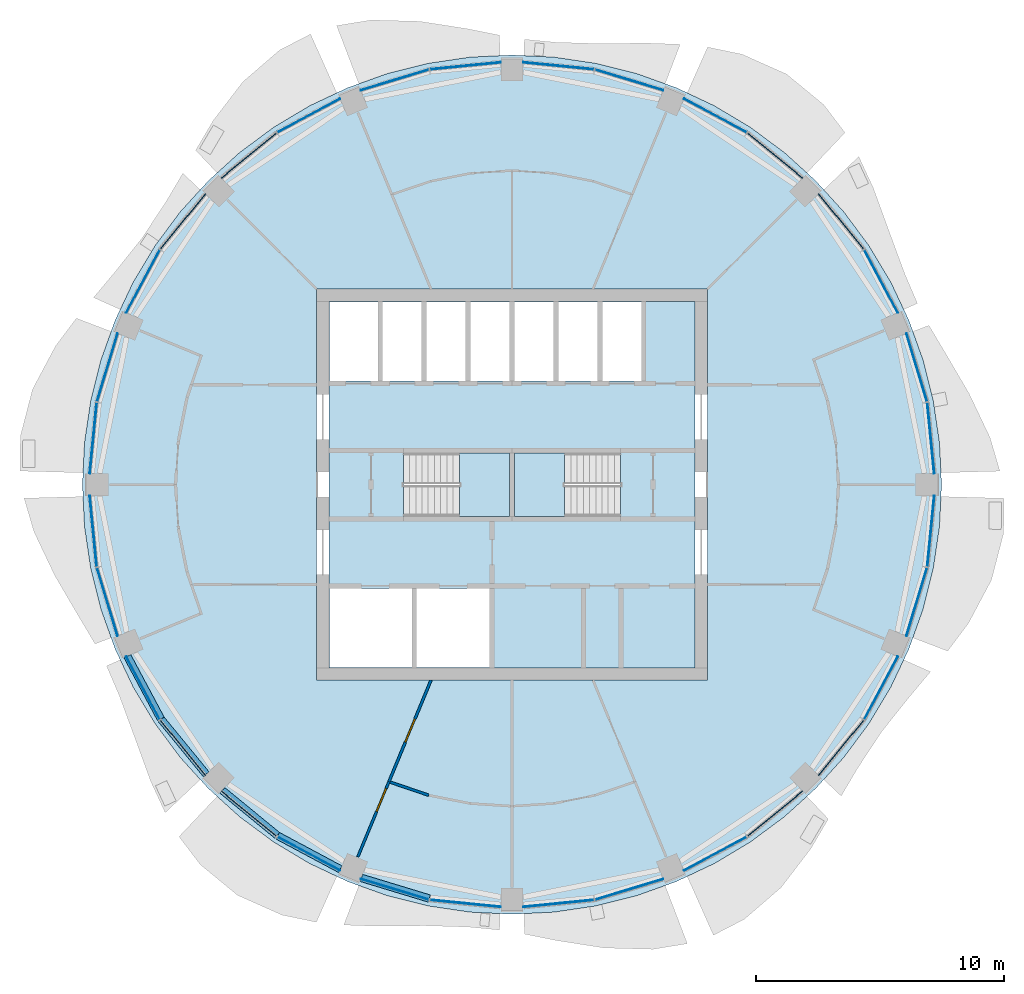
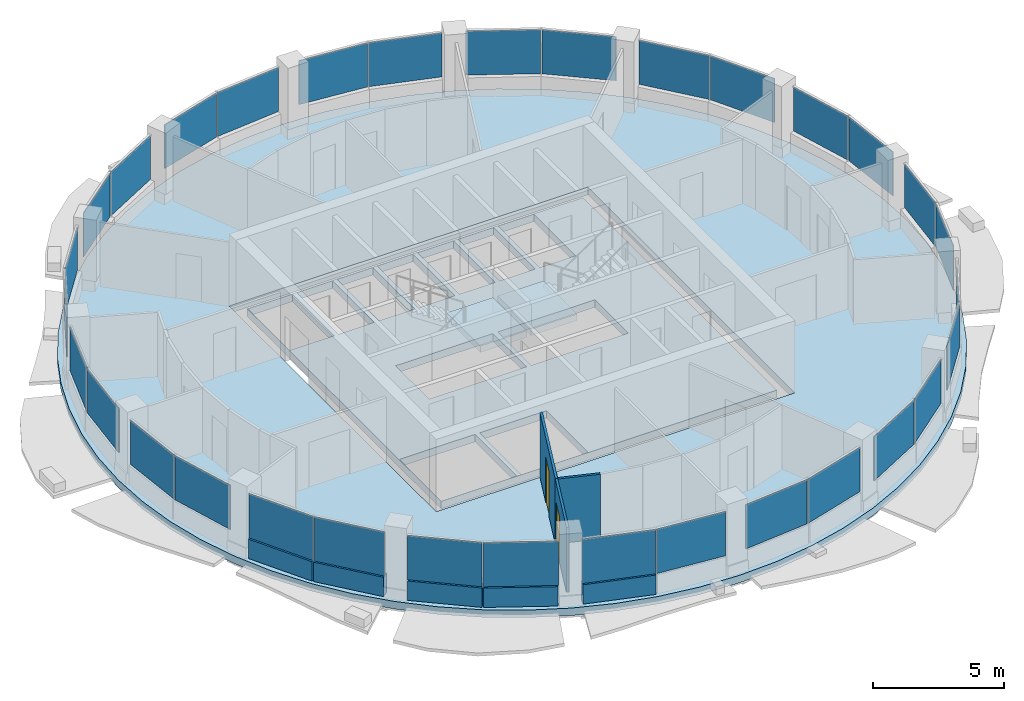
# One storey, part 7 of 15: 32 plates, 8 walls, 4 slabs, 2 doors, 2 openings, 18 elements without a shape of their own.
"""IFC4 building model written with IfcOpenShell, lengths in metres."""

from ifc_helpers import new_model, si_unit, direction, frame, frame_2d, origin, origin_2d, place, context, subcontext, project, spatial, polyline, rectangle, outline, extrude, material, layer, layer_set, type_object, element, fill, aggregate, save


model = new_model("IFC4")

# Units and contexts
model_context = context("Model", 3, precision=1e-05, world=origin(), true_north=direction((0.0, 1.0)))
body_context = subcontext(model_context, "Body", "Model", "MODEL_VIEW")
ifc_project = project(units=[si_unit("LENGTHUNIT", "METRE"), si_unit("AREAUNIT", "SQUARE_METRE"), si_unit("VOLUMEUNIT", "CUBIC_METRE"), si_unit("PLANEANGLEUNIT", "RADIAN"), si_unit("MASSUNIT", "GRAM", prefix="KILO")], contexts=[model_context])

# Site, building, storey
site_placement = place(None, origin())
site = spatial("IfcSite", under=ifc_project, at=site_placement, CompositionType="ELEMENT")
building_placement = place(site_placement, origin())
building = spatial("IfcBuilding", under=site, at=building_placement, Name="Polderwave Tower", CompositionType="ELEMENT")
storey_placement = place(building_placement, frame((0.0, 0.0, 197.699951171875)))
storey = spatial("IfcBuildingStorey", under=building, at=storey_placement, Name="L53", CompositionType="ELEMENT", Elevation=197.699951171875)

# Slab
ifc_material_1 = material(Name="Concrete C40/50", Category="concrete")
ifc_layer_1 = layer(ifc_material_1, 0.35009765625)
ifc_layer_set_1 = layer_set([ifc_layer_1], Name="Core floor slab 350")
slab_type_1 = type_object("IfcSlabType", Name="Core floor slab 350", PredefinedType="FLOOR", material=ifc_layer_set_1)
slab_1_placement = place(storey_placement, frame((0.0, 0.0, -0.349853515625)))
element("IfcSlab", 1, at=slab_1_placement, inside=storey, type_object=slab_type_1, Name="L53 core floor", PredefinedType="FLOOR", context=body_context, shape_type="SweptSolid", body=[
    extrude(outline(polyline([(-7.3740234375, -7.3740234375), (7.3740234375, -7.3740234375), (7.3740234375, 7.3740234375), (-7.3740234375, 7.3740234375), (-7.3740234375, -7.3740234375)]), holes=[polyline([(-7.35400390625, -7.35400390625), (-4.037109375, -7.35400390625), (-4.037109375, -4.174072265625), (-7.35400390625, -4.174072265625), (-7.35400390625, -7.35400390625)]), polyline([(-3.8369140625, -7.35400390625), (-0.89990234375, -7.35400390625), (-0.89990234375, -4.174072265625), (-3.8369140625, -4.174072265625), (-3.8369140625, -7.35400390625)]), polyline([(-7.35400390625, 4.174072265625), (-5.405517578125, 4.174072265625), (-5.405517578125, 7.35400390625), (-7.35400390625, 7.35400390625), (-7.35400390625, 4.174072265625)]), polyline([(-5.20556640625, 4.174072265625), (-3.636962890625, 4.174072265625), (-3.636962890625, 7.35400390625), (-5.20556640625, 7.35400390625), (-5.20556640625, 4.174072265625)]), polyline([(-3.43701171875, 4.174072265625), (-1.868408203125, 4.174072265625), (-1.868408203125, 7.35400390625), (-3.43701171875, 7.35400390625), (-3.43701171875, 4.174072265625)]), polyline([(-1.66845703125, 4.174072265625), (-0.10009765625, 4.174072265625), (-0.10009765625, 7.35400390625), (-1.66845703125, 7.35400390625), (-1.66845703125, 4.174072265625)]), polyline([(0.10009765625, 4.174072265625), (1.66845703125, 4.174072265625), (1.66845703125, 7.35400390625), (0.10009765625, 7.35400390625), (0.10009765625, 4.174072265625)]), polyline([(1.868408203125, 4.174072265625), (3.43701171875, 4.174072265625), (3.43701171875, 7.35400390625), (1.868408203125, 7.35400390625), (1.868408203125, 4.174072265625)]), polyline([(3.636962890625, 4.174072265625), (5.20556640625, 4.174072265625), (5.20556640625, 7.35400390625), (3.636962890625, 7.35400390625), (3.636962890625, 4.174072265625)]), polyline([(-4.37353515625, -1.2744140625), (-0.1005859375, -1.2744140625), (-0.1005859375, 1.2744140625), (-4.37353515625, 1.2744140625), (-4.37353515625, -1.2744140625)]), polyline([(0.1005859375, -1.2744140625), (4.37353515625, -1.2744140625), (4.37353515625, 1.2744140625), (0.1005859375, 1.2744140625), (0.1005859375, -1.2744140625)])]), origin(), (0.0, 0.0, 1.0), 0.349853515625),
])

# Curtain wall, plates
ifc_material_2 = material(Name="Aluminium 6063-T6 and glass", Category="aluminium")
curtain_wall_type = type_object("IfcCurtainWallType", Name="Office ribbon glazing wall", PredefinedType="NOTDEFINED", material=ifc_material_2)
curtain_wall_1_placement = place(storey_placement, origin())
curtain_wall_1 = element("IfcCurtainWall", 2, at=curtain_wall_1_placement, inside=storey, type_object=curtain_wall_type, Name="CW3 L53 00", PredefinedType="NOTDEFINED")
ifc_material_3 = material(Name="Glass, low-e laminated double glazing", Category="glass")
ifc_layer_2 = layer(ifc_material_3, 0.031982421875)
ifc_layer_set_2 = layer_set([ifc_layer_2], Name="Office ribbon glazing glass panel 32 mm")
plate_type = type_object("IfcPlateType", Name="Office ribbon glazing glass panel 32 mm", PredefinedType="CURTAIN_PANEL", material=ifc_layer_set_2)
plate_1_placement = place(storey_placement, frame((16.865478515625, 1.874267578125, 0.900146484375), z_axis=(0.0, 0.0, 1.0), x_axis=(-0.098270728197, 0.995159717824, 0.0)))
plate_1 = element("IfcPlate", 3, at=plate_1_placement, type_object=plate_type, Name="CW3 panel 1", PredefinedType="CURTAIN_PANEL", context=body_context, shape_type="SweptSolid", body=[
    extrude(rectangle(XDim=2.862548828125, YDim=0.031982421875, at=origin_2d()), origin(), (0.0, 0.0, 1.0), 2.0400390625),
])
plate_2_placement = place(storey_placement, frame((16.298583984375, 4.72216796875, 0.900146484375), z_axis=(0.0, 0.0, 1.0), x_axis=(-0.290266305265, 0.956945908622, 0.0)))
plate_2 = element("IfcPlate", 4, at=plate_2_placement, type_object=plate_type, Name="CW3 panel 2", PredefinedType="CURTAIN_PANEL", context=body_context, shape_type="SweptSolid", body=[
    extrude(rectangle(XDim=2.86279296875, YDim=0.031982421875, at=origin_2d()), origin(), (0.0, 0.0, 1.0), 2.0400390625),
])
aggregate(curtain_wall_1, [plate_1, plate_2])

curtain_wall_2_placement = place(storey_placement, origin())
curtain_wall_2 = element("IfcCurtainWall", 5, at=curtain_wall_2_placement, inside=storey, type_object=curtain_wall_type, Name="CW3 L53 01", PredefinedType="NOTDEFINED")
plate_3_placement = place(storey_placement, frame((14.864501953125, 8.185791015625, 0.900146484375), z_axis=(0.0, 0.0, 1.0), x_axis=(-0.471413668412, 0.881912214018, 0.0)))
plate_3 = element("IfcPlate", 6, at=plate_3_placement, type_object=plate_type, Name="CW3 panel 1", PredefinedType="CURTAIN_PANEL", context=body_context, shape_type="SweptSolid", body=[
    extrude(rectangle(XDim=2.86181640625, YDim=0.031982421875, at=origin_2d()), origin(), (0.0, 0.0, 1.0), 2.0400390625),
])
plate_4_placement = place(storey_placement, frame((13.251220703125, 10.60009765625, 0.900146484375), z_axis=(0.0, 0.0, 1.0), x_axis=(-0.634348760905, 0.773046990511, 0.0)))
plate_4 = element("IfcPlate", 7, at=plate_4_placement, type_object=plate_type, Name="CW3 panel 2", PredefinedType="CURTAIN_PANEL", context=body_context, shape_type="SweptSolid", body=[
    extrude(rectangle(XDim=2.86376953125, YDim=0.031982421875, at=origin_2d()), origin(), (0.0, 0.0, 1.0), 2.0400390625),
])
aggregate(curtain_wall_2, [plate_3, plate_4])

curtain_wall_3_placement = place(storey_placement, origin())
curtain_wall_3 = element("IfcCurtainWall", 8, at=curtain_wall_3_placement, inside=storey, type_object=curtain_wall_type, Name="CW3 L53 02", PredefinedType="NOTDEFINED")
plate_5_placement = place(storey_placement, frame((10.60009765625, 13.251220703125, 0.900146484375), z_axis=(0.0, 0.0, 1.0), x_axis=(-0.773046990511, 0.634348760905, 0.0)))
plate_5 = element("IfcPlate", 9, at=plate_5_placement, type_object=plate_type, Name="CW3 panel 1", PredefinedType="CURTAIN_PANEL", context=body_context, shape_type="SweptSolid", body=[
    extrude(rectangle(XDim=2.86376953125, YDim=0.031982421875, at=origin_2d()), origin(), (0.0, 0.0, 1.0), 2.0400390625),
])
plate_6_placement = place(storey_placement, frame((8.185791015625, 14.864501953125, 0.900146484375), z_axis=(0.0, 0.0, 1.0), x_axis=(-0.881912214018, 0.471413668412, 0.0)))
plate_6 = element("IfcPlate", 10, at=plate_6_placement, type_object=plate_type, Name="CW3 panel 2", PredefinedType="CURTAIN_PANEL", context=body_context, shape_type="SweptSolid", body=[
    extrude(rectangle(XDim=2.86181640625, YDim=0.031982421875, at=origin_2d()), origin(), (0.0, 0.0, 1.0), 2.0400390625),
])
aggregate(curtain_wall_3, [plate_5, plate_6])

curtain_wall_4_placement = place(storey_placement, origin())
curtain_wall_4 = element("IfcCurtainWall", 11, at=curtain_wall_4_placement, inside=storey, type_object=curtain_wall_type, Name="CW3 L53 03", PredefinedType="NOTDEFINED")
plate_7_placement = place(storey_placement, frame((4.72216796875, 16.298583984375, 0.900146484375), z_axis=(0.0, 0.0, 1.0), x_axis=(-0.956945908622, 0.290266305265, 0.0)))
plate_7 = element("IfcPlate", 12, at=plate_7_placement, type_object=plate_type, Name="CW3 panel 1", PredefinedType="CURTAIN_PANEL", context=body_context, shape_type="SweptSolid", body=[
    extrude(rectangle(XDim=2.86279296875, YDim=0.031982421875, at=origin_2d()), origin(), (0.0, 0.0, 1.0), 2.0400390625),
])
plate_8_placement = place(storey_placement, frame((1.874267578125, 16.865478515625, 0.900146484375), z_axis=(0.0, 0.0, 1.0), x_axis=(-0.995159717824, 0.098270728197, 0.0)))
plate_8 = element("IfcPlate", 13, at=plate_8_placement, type_object=plate_type, Name="CW3 panel 2", PredefinedType="CURTAIN_PANEL", context=body_context, shape_type="SweptSolid", body=[
    extrude(rectangle(XDim=2.862548828125, YDim=0.031982421875, at=origin_2d()), origin(), (0.0, 0.0, 1.0), 2.0400390625),
])
aggregate(curtain_wall_4, [plate_7, plate_8])

curtain_wall_5_placement = place(storey_placement, origin())
curtain_wall_5 = element("IfcCurtainWall", 14, at=curtain_wall_5_placement, inside=storey, type_object=curtain_wall_type, Name="CW3 L53 04", PredefinedType="NOTDEFINED")
plate_9_placement = place(storey_placement, frame((-1.874267578125, 16.865478515625, 0.900146484375), z_axis=(0.0, 0.0, 1.0), x_axis=(-0.995159717824, -0.098270728197, 0.0)))
plate_9 = element("IfcPlate", 15, at=plate_9_placement, type_object=plate_type, Name="CW3 panel 1", PredefinedType="CURTAIN_PANEL", context=body_context, shape_type="SweptSolid", body=[
    extrude(rectangle(XDim=2.862548828125, YDim=0.031982421875, at=origin_2d()), origin(), (0.0, 0.0, 1.0), 2.0400390625),
])
plate_10_placement = place(storey_placement, frame((-4.72216796875, 16.298583984375, 0.900146484375), z_axis=(0.0, 0.0, 1.0), x_axis=(-0.956945908622, -0.290266305265, 0.0)))
plate_10 = element("IfcPlate", 16, at=plate_10_placement, type_object=plate_type, Name="CW3 panel 2", PredefinedType="CURTAIN_PANEL", context=body_context, shape_type="SweptSolid", body=[
    extrude(rectangle(XDim=2.86279296875, YDim=0.031982421875, at=origin_2d()), origin(), (0.0, 0.0, 1.0), 2.0400390625),
])
aggregate(curtain_wall_5, [plate_9, plate_10])

curtain_wall_6_placement = place(storey_placement, origin())
curtain_wall_6 = element("IfcCurtainWall", 17, at=curtain_wall_6_placement, inside=storey, type_object=curtain_wall_type, Name="CW3 L53 05", PredefinedType="NOTDEFINED")
plate_11_placement = place(storey_placement, frame((-8.185791015625, 14.864501953125, 0.900146484375), z_axis=(0.0, 0.0, 1.0), x_axis=(-0.881912214018, -0.471413668412, 0.0)))
plate_11 = element("IfcPlate", 18, at=plate_11_placement, type_object=plate_type, Name="CW3 panel 1", PredefinedType="CURTAIN_PANEL", context=body_context, shape_type="SweptSolid", body=[
    extrude(rectangle(XDim=2.86181640625, YDim=0.031982421875, at=origin_2d()), origin(), (0.0, 0.0, 1.0), 2.0400390625),
])
plate_12_placement = place(storey_placement, frame((-10.60009765625, 13.251220703125, 0.900146484375), z_axis=(0.0, 0.0, 1.0), x_axis=(-0.773046990511, -0.634348760905, 0.0)))
plate_12 = element("IfcPlate", 19, at=plate_12_placement, type_object=plate_type, Name="CW3 panel 2", PredefinedType="CURTAIN_PANEL", context=body_context, shape_type="SweptSolid", body=[
    extrude(rectangle(XDim=2.86376953125, YDim=0.031982421875, at=origin_2d()), origin(), (0.0, 0.0, 1.0), 2.0400390625),
])
aggregate(curtain_wall_6, [plate_11, plate_12])

curtain_wall_7_placement = place(storey_placement, origin())
curtain_wall_7 = element("IfcCurtainWall", 20, at=curtain_wall_7_placement, inside=storey, type_object=curtain_wall_type, Name="CW3 L53 06", PredefinedType="NOTDEFINED")
plate_13_placement = place(storey_placement, frame((-13.251220703125, 10.60009765625, 0.900146484375), z_axis=(0.0, 0.0, 1.0), x_axis=(-0.634348760905, -0.773046990511, 0.0)))
plate_13 = element("IfcPlate", 21, at=plate_13_placement, type_object=plate_type, Name="CW3 panel 1", PredefinedType="CURTAIN_PANEL", context=body_context, shape_type="SweptSolid", body=[
    extrude(rectangle(XDim=2.86376953125, YDim=0.031982421875, at=origin_2d()), origin(), (0.0, 0.0, 1.0), 2.0400390625),
])
plate_14_placement = place(storey_placement, frame((-14.864501953125, 8.185791015625, 0.900146484375), z_axis=(0.0, 0.0, 1.0), x_axis=(-0.471413668412, -0.881912214018, 0.0)))
plate_14 = element("IfcPlate", 22, at=plate_14_placement, type_object=plate_type, Name="CW3 panel 2", PredefinedType="CURTAIN_PANEL", context=body_context, shape_type="SweptSolid", body=[
    extrude(rectangle(XDim=2.86181640625, YDim=0.031982421875, at=origin_2d()), origin(), (0.0, 0.0, 1.0), 2.0400390625),
])
aggregate(curtain_wall_7, [plate_13, plate_14])

curtain_wall_8_placement = place(storey_placement, origin())
curtain_wall_8 = element("IfcCurtainWall", 23, at=curtain_wall_8_placement, inside=storey, type_object=curtain_wall_type, Name="CW3 L53 07", PredefinedType="NOTDEFINED")
plate_15_placement = place(storey_placement, frame((-16.298583984375, 4.72216796875, 0.900146484375), z_axis=(0.0, 0.0, 1.0), x_axis=(-0.290266305265, -0.956945908622, 0.0)))
plate_15 = element("IfcPlate", 24, at=plate_15_placement, type_object=plate_type, Name="CW3 panel 1", PredefinedType="CURTAIN_PANEL", context=body_context, shape_type="SweptSolid", body=[
    extrude(rectangle(XDim=2.86279296875, YDim=0.031982421875, at=origin_2d()), origin(), (0.0, 0.0, 1.0), 2.0400390625),
])
plate_16_placement = place(storey_placement, frame((-16.865478515625, 1.874267578125, 0.900146484375), z_axis=(0.0, 0.0, 1.0), x_axis=(-0.098270728197, -0.995159717824, 0.0)))
plate_16 = element("IfcPlate", 25, at=plate_16_placement, type_object=plate_type, Name="CW3 panel 2", PredefinedType="CURTAIN_PANEL", context=body_context, shape_type="SweptSolid", body=[
    extrude(rectangle(XDim=2.862548828125, YDim=0.031982421875, at=origin_2d()), origin(), (0.0, 0.0, 1.0), 2.0400390625),
])
aggregate(curtain_wall_8, [plate_15, plate_16])

curtain_wall_9_placement = place(storey_placement, origin())
curtain_wall_9 = element("IfcCurtainWall", 26, at=curtain_wall_9_placement, inside=storey, type_object=curtain_wall_type, Name="CW3 L53 08", PredefinedType="NOTDEFINED")
plate_17_placement = place(storey_placement, frame((-16.865478515625, -1.874267578125, 0.900146484375), z_axis=(0.0, 0.0, 1.0), x_axis=(0.098270728197, -0.995159717824, 0.0)))
plate_17 = element("IfcPlate", 27, at=plate_17_placement, type_object=plate_type, Name="CW3 panel 1", PredefinedType="CURTAIN_PANEL", context=body_context, shape_type="SweptSolid", body=[
    extrude(rectangle(XDim=2.862548828125, YDim=0.031982421875, at=origin_2d()), origin(), (0.0, 0.0, 1.0), 2.0400390625),
])
plate_18_placement = place(storey_placement, frame((-16.298583984375, -4.72216796875, 0.900146484375), z_axis=(0.0, 0.0, 1.0), x_axis=(0.290266305265, -0.956945908622, 0.0)))
plate_18 = element("IfcPlate", 28, at=plate_18_placement, type_object=plate_type, Name="CW3 panel 2", PredefinedType="CURTAIN_PANEL", context=body_context, shape_type="SweptSolid", body=[
    extrude(rectangle(XDim=2.86279296875, YDim=0.031982421875, at=origin_2d()), origin(), (0.0, 0.0, 1.0), 2.0400390625),
])
aggregate(curtain_wall_9, [plate_17, plate_18])

curtain_wall_10_placement = place(storey_placement, origin())
curtain_wall_10 = element("IfcCurtainWall", 29, at=curtain_wall_10_placement, inside=storey, type_object=curtain_wall_type, Name="CW3 L53 09", PredefinedType="NOTDEFINED")
plate_19_placement = place(storey_placement, frame((-14.864501953125, -8.185791015625, 0.900146484375), z_axis=(0.0, 0.0, 1.0), x_axis=(0.471413668412, -0.881912214018, 0.0)))
plate_19 = element("IfcPlate", 30, at=plate_19_placement, type_object=plate_type, Name="CW3 panel 1", PredefinedType="CURTAIN_PANEL", context=body_context, shape_type="SweptSolid", body=[
    extrude(rectangle(XDim=2.86181640625, YDim=0.031982421875, at=origin_2d()), origin(), (0.0, 0.0, 1.0), 2.0400390625),
])
plate_20_placement = place(storey_placement, frame((-13.251220703125, -10.60009765625, 0.900146484375), z_axis=(0.0, 0.0, 1.0), x_axis=(0.634348760905, -0.773046990511, 0.0)))
plate_20 = element("IfcPlate", 31, at=plate_20_placement, type_object=plate_type, Name="CW3 panel 2", PredefinedType="CURTAIN_PANEL", context=body_context, shape_type="SweptSolid", body=[
    extrude(rectangle(XDim=2.86376953125, YDim=0.031982421875, at=origin_2d()), origin(), (0.0, 0.0, 1.0), 2.0400390625),
])
aggregate(curtain_wall_10, [plate_19, plate_20])

curtain_wall_11_placement = place(storey_placement, origin())
curtain_wall_11 = element("IfcCurtainWall", 32, at=curtain_wall_11_placement, inside=storey, type_object=curtain_wall_type, Name="CW3 L53 10", PredefinedType="NOTDEFINED")
plate_21_placement = place(storey_placement, frame((-10.60009765625, -13.251220703125, 0.900146484375), z_axis=(0.0, 0.0, 1.0), x_axis=(0.773046990511, -0.634348760905, 0.0)))
plate_21 = element("IfcPlate", 33, at=plate_21_placement, type_object=plate_type, Name="CW3 panel 1", PredefinedType="CURTAIN_PANEL", context=body_context, shape_type="SweptSolid", body=[
    extrude(rectangle(XDim=2.86376953125, YDim=0.031982421875, at=origin_2d()), origin(), (0.0, 0.0, 1.0), 2.0400390625),
])
plate_22_placement = place(storey_placement, frame((-8.185791015625, -14.864501953125, 0.900146484375), z_axis=(0.0, 0.0, 1.0), x_axis=(0.881912214018, -0.471413668412, 0.0)))
plate_22 = element("IfcPlate", 34, at=plate_22_placement, type_object=plate_type, Name="CW3 panel 2", PredefinedType="CURTAIN_PANEL", context=body_context, shape_type="SweptSolid", body=[
    extrude(rectangle(XDim=2.86181640625, YDim=0.031982421875, at=origin_2d()), origin(), (0.0, 0.0, 1.0), 2.0400390625),
])
aggregate(curtain_wall_11, [plate_21, plate_22])

curtain_wall_12_placement = place(storey_placement, origin())
curtain_wall_12 = element("IfcCurtainWall", 35, at=curtain_wall_12_placement, inside=storey, type_object=curtain_wall_type, Name="CW3 L53 11", PredefinedType="NOTDEFINED")
plate_23_placement = place(storey_placement, frame((-4.72216796875, -16.298583984375, 0.900146484375), z_axis=(0.0, 0.0, 1.0), x_axis=(0.956945908622, -0.290266305265, 0.0)))
plate_23 = element("IfcPlate", 36, at=plate_23_placement, type_object=plate_type, Name="CW3 panel 1", PredefinedType="CURTAIN_PANEL", context=body_context, shape_type="SweptSolid", body=[
    extrude(rectangle(XDim=2.86279296875, YDim=0.031982421875, at=origin_2d()), origin(), (0.0, 0.0, 1.0), 2.0400390625),
])
plate_24_placement = place(storey_placement, frame((-1.874267578125, -16.865478515625, 0.900146484375), z_axis=(0.0, 0.0, 1.0), x_axis=(0.995159717824, -0.098270728197, 0.0)))
plate_24 = element("IfcPlate", 37, at=plate_24_placement, type_object=plate_type, Name="CW3 panel 2", PredefinedType="CURTAIN_PANEL", context=body_context, shape_type="SweptSolid", body=[
    extrude(rectangle(XDim=2.862548828125, YDim=0.031982421875, at=origin_2d()), origin(), (0.0, 0.0, 1.0), 2.0400390625),
])
aggregate(curtain_wall_12, [plate_23, plate_24])

curtain_wall_13_placement = place(storey_placement, origin())
curtain_wall_13 = element("IfcCurtainWall", 38, at=curtain_wall_13_placement, inside=storey, type_object=curtain_wall_type, Name="CW3 L53 12", PredefinedType="NOTDEFINED")
plate_25_placement = place(storey_placement, frame((1.874267578125, -16.865478515625, 0.900146484375), z_axis=(0.0, 0.0, 1.0), x_axis=(0.995159717824, 0.098270728197, 0.0)))
plate_25 = element("IfcPlate", 39, at=plate_25_placement, type_object=plate_type, Name="CW3 panel 1", PredefinedType="CURTAIN_PANEL", context=body_context, shape_type="SweptSolid", body=[
    extrude(rectangle(XDim=2.862548828125, YDim=0.031982421875, at=origin_2d()), origin(), (0.0, 0.0, 1.0), 2.0400390625),
])
plate_26_placement = place(storey_placement, frame((4.72216796875, -16.298583984375, 0.900146484375), z_axis=(0.0, 0.0, 1.0), x_axis=(0.956945908622, 0.290266305265, 0.0)))
plate_26 = element("IfcPlate", 40, at=plate_26_placement, type_object=plate_type, Name="CW3 panel 2", PredefinedType="CURTAIN_PANEL", context=body_context, shape_type="SweptSolid", body=[
    extrude(rectangle(XDim=2.86279296875, YDim=0.031982421875, at=origin_2d()), origin(), (0.0, 0.0, 1.0), 2.0400390625),
])
aggregate(curtain_wall_13, [plate_25, plate_26])

curtain_wall_14_placement = place(storey_placement, origin())
curtain_wall_14 = element("IfcCurtainWall", 41, at=curtain_wall_14_placement, inside=storey, type_object=curtain_wall_type, Name="CW3 L53 13", PredefinedType="NOTDEFINED")
plate_27_placement = place(storey_placement, frame((8.185791015625, -14.864501953125, 0.900146484375), z_axis=(0.0, 0.0, 1.0), x_axis=(0.881912214018, 0.471413668412, 0.0)))
plate_27 = element("IfcPlate", 42, at=plate_27_placement, type_object=plate_type, Name="CW3 panel 1", PredefinedType="CURTAIN_PANEL", context=body_context, shape_type="SweptSolid", body=[
    extrude(rectangle(XDim=2.86181640625, YDim=0.031982421875, at=origin_2d()), origin(), (0.0, 0.0, 1.0), 2.0400390625),
])
plate_28_placement = place(storey_placement, frame((10.60009765625, -13.251220703125, 0.900146484375), z_axis=(0.0, 0.0, 1.0), x_axis=(0.773046990511, 0.634348760905, 0.0)))
plate_28 = element("IfcPlate", 43, at=plate_28_placement, type_object=plate_type, Name="CW3 panel 2", PredefinedType="CURTAIN_PANEL", context=body_context, shape_type="SweptSolid", body=[
    extrude(rectangle(XDim=2.86376953125, YDim=0.031982421875, at=origin_2d()), origin(), (0.0, 0.0, 1.0), 2.0400390625),
])
aggregate(curtain_wall_14, [plate_27, plate_28])

curtain_wall_15_placement = place(storey_placement, origin())
curtain_wall_15 = element("IfcCurtainWall", 44, at=curtain_wall_15_placement, inside=storey, type_object=curtain_wall_type, Name="CW3 L53 14", PredefinedType="NOTDEFINED")
plate_29_placement = place(storey_placement, frame((13.251220703125, -10.60009765625, 0.900146484375), z_axis=(0.0, 0.0, 1.0), x_axis=(0.634348760905, 0.773046990511, 0.0)))
plate_29 = element("IfcPlate", 45, at=plate_29_placement, type_object=plate_type, Name="CW3 panel 1", PredefinedType="CURTAIN_PANEL", context=body_context, shape_type="SweptSolid", body=[
    extrude(rectangle(XDim=2.86376953125, YDim=0.031982421875, at=origin_2d()), origin(), (0.0, 0.0, 1.0), 2.0400390625),
])
plate_30_placement = place(storey_placement, frame((14.864501953125, -8.185791015625, 0.900146484375), z_axis=(0.0, 0.0, 1.0), x_axis=(0.471413668412, 0.881912214018, 0.0)))
plate_30 = element("IfcPlate", 46, at=plate_30_placement, type_object=plate_type, Name="CW3 panel 2", PredefinedType="CURTAIN_PANEL", context=body_context, shape_type="SweptSolid", body=[
    extrude(rectangle(XDim=2.86181640625, YDim=0.031982421875, at=origin_2d()), origin(), (0.0, 0.0, 1.0), 2.0400390625),
])
aggregate(curtain_wall_15, [plate_29, plate_30])

curtain_wall_16_placement = place(storey_placement, origin())
curtain_wall_16 = element("IfcCurtainWall", 47, at=curtain_wall_16_placement, inside=storey, type_object=curtain_wall_type, Name="CW3 L53 15", PredefinedType="NOTDEFINED")
plate_31_placement = place(storey_placement, frame((16.298583984375, -4.72216796875, 0.900146484375), z_axis=(0.0, 0.0, 1.0), x_axis=(0.290266305265, 0.956945908622, 0.0)))
plate_31 = element("IfcPlate", 48, at=plate_31_placement, type_object=plate_type, Name="CW3 panel 1", PredefinedType="CURTAIN_PANEL", context=body_context, shape_type="SweptSolid", body=[
    extrude(rectangle(XDim=2.86279296875, YDim=0.031982421875, at=origin_2d()), origin(), (0.0, 0.0, 1.0), 2.0400390625),
])
plate_32_placement = place(storey_placement, frame((16.865478515625, -1.874267578125, 0.900146484375), z_axis=(0.0, 0.0, 1.0), x_axis=(0.098270728197, 0.995159717824, 0.0)))
plate_32 = element("IfcPlate", 49, at=plate_32_placement, type_object=plate_type, Name="CW3 panel 2", PredefinedType="CURTAIN_PANEL", context=body_context, shape_type="SweptSolid", body=[
    extrude(rectangle(XDim=2.862548828125, YDim=0.031982421875, at=origin_2d()), origin(), (0.0, 0.0, 1.0), 2.0400390625),
])
aggregate(curtain_wall_16, [plate_31, plate_32])

# Slab
ifc_layer_3 = layer(ifc_material_1, 0.35009765625)
ifc_layer_set_3 = layer_set([ifc_layer_3], Name="PT FLOOR SLAB 350 C40/50")
slab_type_2 = type_object("IfcSlabType", Name="PT FLOOR SLAB 350 C40/50", PredefinedType="FLOOR", material=ifc_layer_set_3)
slab_2_placement = place(storey_placement, frame((0.0, 0.0, -0.349853515625)))
element("IfcSlab", 50, at=slab_2_placement, inside=storey, type_object=slab_type_2, Name="ST-SLAB-L53", PredefinedType="FLOOR", context=body_context, shape_type="SweptSolid", body=[
    extrude(outline(polyline([(17.300048828125, 0.0), (17.216796875, 1.69580078125), (16.967529296875, 3.375), (16.55517578125, 5.02197265625), (15.983154296875, 6.620361328125), (15.257080078125, 8.1552734375), (14.384521484375, 9.611328125), (13.373046875, 10.97509765625), (12.23291015625, 12.23291015625), (10.97509765625, 13.373046875), (9.611328125, 14.384521484375), (8.1552734375, 15.257080078125), (6.620361328125, 15.983154296875), (5.02197265625, 16.55517578125), (3.375, 16.967529296875), (1.69580078125, 17.216796875), (0.0, 17.300048828125), (-1.69580078125, 17.216796875), (-3.375, 16.967529296875), (-5.02197265625, 16.55517578125), (-6.620361328125, 15.983154296875), (-8.1552734375, 15.257080078125), (-9.611328125, 14.384521484375), (-10.97509765625, 13.373046875), (-12.23291015625, 12.23291015625), (-13.373046875, 10.97509765625), (-14.384521484375, 9.611328125), (-15.257080078125, 8.1552734375), (-15.983154296875, 6.620361328125), (-16.55517578125, 5.02197265625), (-16.967529296875, 3.375), (-17.216796875, 1.69580078125), (-17.300048828125, 0.0), (-17.216796875, -1.69580078125), (-16.967529296875, -3.375), (-16.55517578125, -5.02197265625), (-15.983154296875, -6.620361328125), (-15.257080078125, -8.1552734375), (-14.384521484375, -9.611328125), (-13.373046875, -10.97509765625), (-12.23291015625, -12.23291015625), (-10.97509765625, -13.373046875), (-9.611328125, -14.384521484375), (-8.1552734375, -15.257080078125), (-6.620361328125, -15.983154296875), (-5.02197265625, -16.55517578125), (-3.375, -16.967529296875), (-1.69580078125, -17.216796875), (0.0, -17.300048828125), (1.69580078125, -17.216796875), (3.375, -16.967529296875), (5.02197265625, -16.55517578125), (6.620361328125, -15.983154296875), (8.1552734375, -15.257080078125), (9.611328125, -14.384521484375), (10.97509765625, -13.373046875), (12.23291015625, -12.23291015625), (13.373046875, -10.97509765625), (14.384521484375, -9.611328125), (15.257080078125, -8.1552734375), (15.983154296875, -6.620361328125), (16.55517578125, -5.02197265625), (16.967529296875, -3.375), (17.216796875, -1.69580078125), (17.300048828125, 0.0)]), holes=[polyline([(-7.8740234375, -7.8740234375), (7.8740234375, -7.8740234375), (7.8740234375, 7.8740234375), (-7.8740234375, 7.8740234375), (-7.8740234375, -7.8740234375)])]), origin(), (0.0, 0.0, 1.0), 0.349853515625),
])

# Stair, slab
stair_type = type_object("IfcStairType", Name="Exit stair 1200 x 20 risers", PredefinedType="HALF_TURN_STAIR", material=ifc_material_1)
stair_1_placement = place(storey_placement, origin())
stair_1 = element("IfcStair", 51, at=stair_1_placement, inside=storey, type_object=stair_type, Name="L53 Exit stair A", PredefinedType="HALF_TURN_STAIR")
ifc_layer_4 = layer(ifc_material_1, 0.300048828125)
ifc_layer_set_4 = layer_set([ifc_layer_4], Name="Stair landing 300")
slab_type_3 = type_object("IfcSlabType", Name="Stair landing 300", PredefinedType="LANDING", material=ifc_layer_set_4)
slab_3_placement = place(storey_placement, frame((0.0, 0.0, 1.375)))
slab_3 = element("IfcSlab", 52, at=slab_3_placement, type_object=slab_type_3, Name="ST-A landing 1", PredefinedType="LANDING", context=body_context, shape_type="SweptSolid", body=[
    extrude(outline(polyline([(-2.1240234375, -1.27490234375), (-0.10009765625, -1.27490234375), (-0.10009765625, 1.27490234375), (-2.1240234375, 1.27490234375), (-2.1240234375, -1.27490234375)])), origin(), (0.0, 0.0, 1.0), 0.300048828125),
])
aggregate(stair_1, [slab_3])

stair_2_placement = place(storey_placement, origin())
stair_2 = element("IfcStair", 53, at=stair_2_placement, inside=storey, type_object=stair_type, Name="L53 Exit stair B", PredefinedType="HALF_TURN_STAIR")
slab_4_placement = place(storey_placement, frame((0.0, 0.0, 1.375)))
slab_4 = element("IfcSlab", 54, at=slab_4_placement, type_object=slab_type_3, Name="ST-B landing 1", PredefinedType="LANDING", context=body_context, shape_type="SweptSolid", body=[
    extrude(outline(polyline([(2.1240234375, 1.27490234375), (0.10009765625, 1.27490234375), (0.10009765625, -1.27490234375), (2.1240234375, -1.27490234375), (2.1240234375, 1.27490234375)])), origin(), (0.0, 0.0, 1.0), 0.300048828125),
])
aggregate(stair_2, [slab_4])

# Walls
ifc_material_4 = material(Name="Concrete C50/60 (board-marked)", Category="concrete")
ifc_layer_5 = layer(ifc_material_4, 0.300048828125)
ifc_layer_set_5 = layer_set([ifc_layer_5], Name="Concrete spandrel upstand C50/60")
wall_type_1 = type_object("IfcWallType", Name="Concrete spandrel upstand C50/60", PredefinedType="SOLIDWALL", material=ifc_layer_set_5)
wall_1_placement = place(storey_placement, frame((-15.48583984375, -6.917236328125, 0.0), z_axis=(0.0, 0.0, 1.0), x_axis=(0.471441594872, -0.881897285756, 0.0)))
element("IfcWall", 55, at=wall_1_placement, inside=storey, type_object=wall_type_1, Name="Spandrel L53 10a", PredefinedType="SOLIDWALL", context=body_context, shape_type="SweptSolid", body=[
    extrude(rectangle(XDim=2.850341796875, YDim=0.300048828125, at=frame_2d((1.42529296875, 0.0))), origin(), (0.0, 0.0, 1.0), 0.900146484375),
])
for number, where, z_axis, x_axis, name in (
    (56, (-14.12548828125, -9.45556640625, 0.0), (0.0, 0.0, 1.0), (0.634146109242, -0.773213238462, 0.0), "Spandrel L53 10b"),
    (57, (-11.661376953125, -12.31640625, 0.0), (0.0, 0.0, 1.0), (0.773213238462, -0.634146109242, 0.0), "Spandrel L53 11a"),
):
    element("IfcWall", number, at=place(storey_placement, frame(where, z_axis=z_axis, x_axis=x_axis)), inside=storey, type_object=wall_type_1, Name=name, PredefinedType="SOLIDWALL", context=body_context, shape_type="SweptSolid", body=[
        extrude(rectangle(XDim=2.852783203125, YDim=0.300048828125, at=frame_2d((1.42626953125, 0.0))), origin(), (0.0, 0.0, 1.0), 0.900146484375),
    ])
wall_2_placement = place(storey_placement, frame((-9.430908203125, -14.14208984375, 0.0), z_axis=(0.0, 0.0, 1.0), x_axis=(0.881897285756, -0.471441594872, 0.0)))
element("IfcWall", 58, at=wall_2_placement, inside=storey, type_object=wall_type_1, Name="Spandrel L53 11b", PredefinedType="SOLIDWALL", context=body_context, shape_type="SweptSolid", body=[
    extrude(rectangle(XDim=2.850341796875, YDim=0.300048828125, at=frame_2d((1.42529296875, 0.0))), origin(), (0.0, 0.0, 1.0), 0.900146484375),
])
wall_3_placement = place(storey_placement, frame((-6.0595703125, -15.84033203125, 0.0), z_axis=(0.0, 0.0, 1.0), x_axis=(0.956895445627, -0.290432618929, 0.0)))
element("IfcWall", 59, at=wall_3_placement, inside=storey, type_object=wall_type_1, Name="Spandrel L53 12a", PredefinedType="SOLIDWALL", context=body_context, shape_type="SweptSolid", body=[
    extrude(rectangle(XDim=2.852294921875, YDim=0.300048828125, at=frame_2d((1.42626953125, 0.0))), origin(), (0.0, 0.0, 1.0), 0.900146484375),
])

# Wall, opening, door
ifc_material_5 = material(Name="Plasterboard on steel studs", Category="steel")
ifc_layer_6 = layer(ifc_material_5, 0.10009765625)
ifc_layer_set_6 = layer_set([ifc_layer_6], Name="Partition 100 mm plasterboard on steel studs")
wall_type_2 = type_object("IfcWallType", Name="Partition 100 mm plasterboard on steel studs", PredefinedType="PARTITIONING", material=ifc_layer_set_6)
wall_4_placement = place(storey_placement, frame((-4.955810546875, -11.964111328125, 0.0), z_axis=(0.0, 0.0, 1.0), x_axis=(-0.382626535499, -0.923903097912, 0.0)))
wall_4 = element("IfcWall", 60, at=wall_4_placement, inside=storey, type_object=wall_type_2, Name="IN-L53-W039", PredefinedType="PARTITIONING", context=body_context, shape_type="SweptSolid", body=[
    extrude(rectangle(XDim=3.27001953125, YDim=0.10009765625, at=frame_2d((1.635009765625, 0.0))), origin(), (0.0, 0.0, 1.0), 3.0),
])
opening_1_placement = place(wall_4_placement, frame((0.300048828125, 0.0, 0.0)))
opening_1 = element("IfcOpeningElement", 61, at=opening_1_placement, cuts=wall_4, Name="Opening L53-D64", PredefinedType="OPENING", context=body_context, shape_type="SweptSolid", body=[
    extrude(rectangle(XDim=1.0, YDim=2.10009765625, at=frame_2d((0.5, 1.050048828125))), frame((0.0, 0.06005859375, 0.0), z_axis=(0.0, -1.0, 0.0), x_axis=(1.0, 0.0, 0.0)), (0.0, 0.0, 1.0), 0.1201171875),
])
ifc_material_6 = material(Name="Timber veneer door leaf", Category="wood")
door_type = type_object("IfcDoorType", Name="Single door 1000 x 2100", OperationType="NOTDEFINED", PredefinedType="DOOR", material=ifc_material_6)
door_1_placement = place(opening_1_placement, origin())
door_1 = element("IfcDoor", 62, at=door_1_placement, inside=storey, type_object=door_type, Name="Door L53-D64", OperationType="SINGLE_SWING_LEFT", OverallHeight=2.10009765625, OverallWidth=1.0, PredefinedType="DOOR", context=body_context, shape_type="SweptSolid", body=[
    extrude(rectangle(XDim=1.0, YDim=2.10009765625, at=frame_2d((0.5, 1.050048828125))), frame((0.0, 0.02490234375, 0.0), z_axis=(0.0, -1.0, 0.0), x_axis=(1.0, 0.0, 0.0)), (0.0, 0.0, 1.0), 0.050048828125),
])
fill(opening_1, door_1)

ifc_material_7 = material(Name="Moisture-resistant board on steel studs, tiled", Category="steel")
ifc_layer_7 = layer(ifc_material_7, 0.10498046875)
ifc_layer_set_7 = layer_set([ifc_layer_7], Name="Partition 105 mm wet room board and tile")
wall_type_3 = type_object("IfcWallType", Name="Partition 105 mm wet room board and tile", PredefinedType="PARTITIONING", material=ifc_layer_set_7)
wall_5_placement = place(storey_placement, frame((-3.261474609375, -7.8740234375, 0.0), z_axis=(0.0, 0.0, 1.0), x_axis=(-0.38271544888, -0.923866270186, 0.0)))
wall_5 = element("IfcWall", 63, at=wall_5_placement, inside=storey, type_object=wall_type_3, Name="IN-L53-W038", PredefinedType="PARTITIONING", context=body_context, shape_type="SweptSolid", body=[
    extrude(rectangle(XDim=4.42724609375, YDim=0.10498046875, at=frame_2d((2.213623046875, 0.0))), origin(), (0.0, 0.0, 1.0), 3.0),
])
opening_2_placement = place(wall_5_placement, frame((1.699951171875, 0.0, 0.0)))
opening_2 = element("IfcOpeningElement", 64, at=opening_2_placement, cuts=wall_5, Name="Opening L53-D63", PredefinedType="OPENING", context=body_context, shape_type="SweptSolid", body=[
    extrude(rectangle(XDim=1.0, YDim=2.10009765625, at=frame_2d((0.5, 1.050048828125))), frame((0.0, 0.0625, 0.0), z_axis=(0.0, -1.0, 0.0), x_axis=(1.0, 0.0, 0.0)), (0.0, 0.0, 1.0), 0.125),
])
door_2_placement = place(opening_2_placement, origin())
door_2 = element("IfcDoor", 65, at=door_2_placement, inside=storey, type_object=door_type, Name="Door L53-D63", OperationType="SINGLE_SWING_LEFT", OverallHeight=2.10009765625, OverallWidth=1.0, PredefinedType="DOOR", context=body_context, shape_type="SweptSolid", body=[
    extrude(rectangle(XDim=1.0, YDim=2.10009765625, at=frame_2d((0.5, 1.050048828125))), frame((0.0, 0.02490234375, 0.0), z_axis=(0.0, -1.0, 0.0), x_axis=(1.0, 0.0, 0.0)), (0.0, 0.0, 1.0), 0.050048828125),
])
fill(opening_2, door_2)

# Wall
wall_6_placement = place(storey_placement, frame((-3.35498046875, -12.507568359375, 0.0), z_axis=(0.0, 0.0, 1.0), x_axis=(-0.946921060296, 0.321466181063, 0.0)))
element("IfcWall", 66, at=wall_6_placement, inside=storey, type_object=wall_type_3, Name="IN-L53-W040", PredefinedType="PARTITIONING", context=body_context, shape_type="SweptSolid", body=[
    extrude(rectangle(XDim=1.63427734375, YDim=0.10498046875, at=frame_2d((0.817138671875, 0.0))), origin(), (0.0, 0.0, 1.0), 3.0),
])

save(model, "model.ifc")
